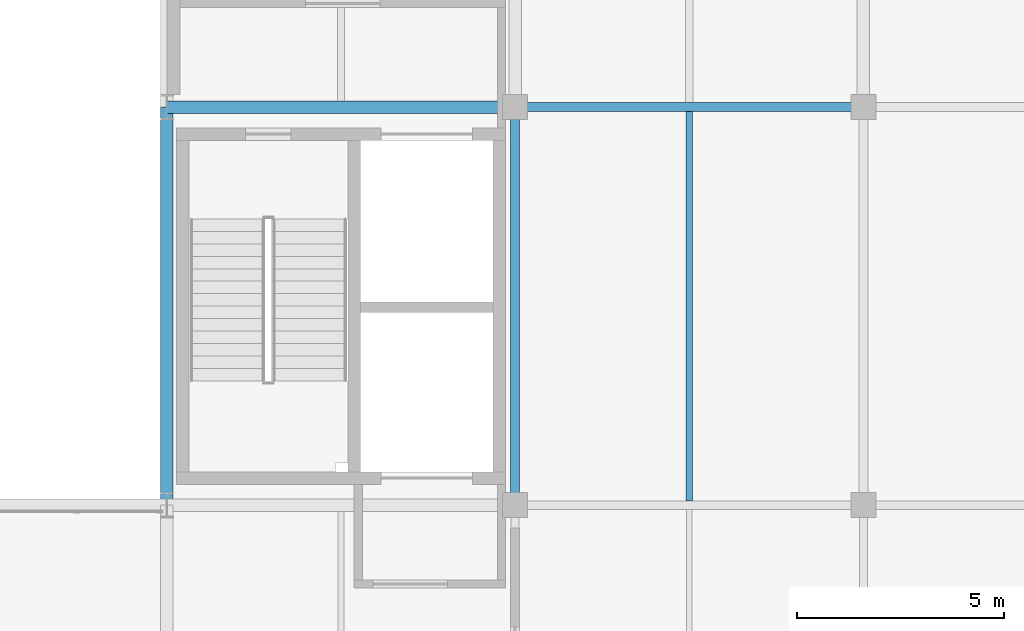
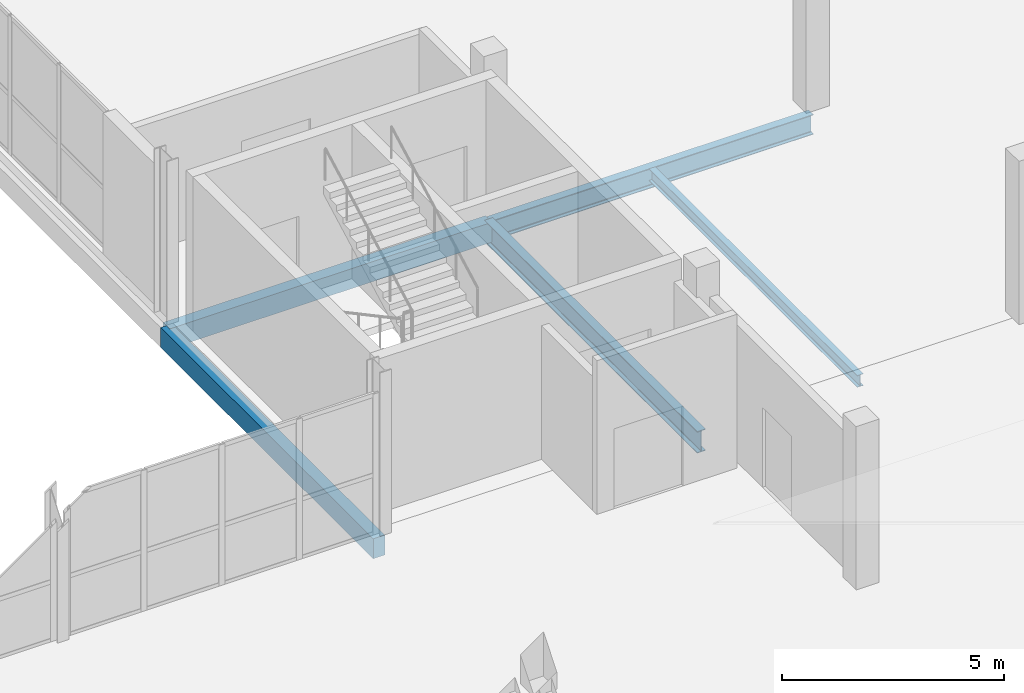
# One storey, part 87 of 130: 5 beams.
"""IFC4 building model written with IfcOpenShell, lengths in metres."""

import ifcopenshell
import ifcopenshell.guid

model = None  # the IFC model being written
_history = None  # IfcOwnerHistory: only IFC2X3 demands one
_inside = {}  # id of a spatial element -> (the spatial element, [elements in it])
_under = {}  # id of a project, library or spatial element -> (it, [spatial elements below it])
_declared = {}  # id of a project -> (the project, [libraries it declares])
_typed = {}  # id of a type object -> (the type object, [elements of that type])
_made_of = {}  # id of a material, layer set ... -> (it, [elements and type objects made of it])


def new_model(schema):
    """Start an empty IFC model of exactly this schema.

    Asked for "IFC4X3", IfcOpenShell would pick the latest addendum, in which some entities
    have other attributes; the version numbers below select the first issue.
    IFC2X3 requires an IfcOwnerHistory on every rooted entity: one is made here for all.
    """
    global model, _history
    if schema == "IFC4X3":
        model = ifcopenshell.file(schema_version=(4, 3, 0, 0))
    else:
        model = ifcopenshell.file(schema=schema)
    _inside.clear()
    _under.clear()
    _declared.clear()
    _typed.clear()
    _made_of.clear()
    _history = None
    if model.schema == "IFC2X3":
        org = make("IfcOrganization", Name="unknown")
        user = make(
            "IfcPersonAndOrganization",
            ThePerson=make("IfcPerson", FamilyName="unknown"),
            TheOrganization=org,
        )
        app = make(
            "IfcApplication",
            ApplicationDeveloper=org,
            Version="unknown",
            ApplicationFullName="unknown",
            ApplicationIdentifier="unknown",
        )
        _history = make(
            "IfcOwnerHistory",
            OwningUser=user,
            OwningApplication=app,
            ChangeAction="ADDED",
            CreationDate=0,
        )
    return model


def make(cls, **values):
    """One entity of the class cls with the attributes given. An attribute that is None is left unset."""
    return model.create_entity(
        cls, **{name: value for name, value in values.items() if value is not None}
    )


def rooted(cls, **values):
    """An entity with a GlobalId (a new one), such as an element, a storey or a relation."""
    return make(cls, GlobalId=ifcopenshell.guid.new(), OwnerHistory=_history, **values)


def si_unit(unit_type, name, prefix=None):
    """IfcSIUnit, for example si_unit("LENGTHUNIT", "METRE", prefix="MILLI")."""
    return make("IfcSIUnit", UnitType=unit_type, Prefix=prefix, Name=name)


def assignment(units):
    """IfcUnitAssignment: the units of a project."""
    return None if units is None else make("IfcUnitAssignment", Units=units)


def point(xyz):
    """IfcCartesianPoint."""
    return None if xyz is None else make("IfcCartesianPoint", Coordinates=xyz)


def direction(xyz):
    """IfcDirection."""
    return None if xyz is None else make("IfcDirection", DirectionRatios=xyz)


def frame(location, z_axis=None, x_axis=None):
    """IfcAxis2Placement3D, a coordinate frame: its origin and axes. An axis left out is left unset."""
    return make(
        "IfcAxis2Placement3D",
        Location=point(location),
        Axis=direction(z_axis),
        RefDirection=direction(x_axis),
    )


def frame_2d(location, x_axis=None):
    """IfcAxis2Placement2D, a coordinate frame in the plane: its origin and x axis."""
    return make(
        "IfcAxis2Placement2D", Location=point(location), RefDirection=direction(x_axis)
    )


def origin():
    """The frame at (0, 0, 0) with its axes left unset."""
    return frame((0.0, 0.0, 0.0))


def origin_2d():
    """The frame at (0, 0) in the plane with its x axis left unset."""
    return frame_2d((0.0, 0.0))


def place(relative_to, where):
    """IfcLocalPlacement: puts the frame where relative to a parent placement (None: the world)."""
    return make(
        "IfcLocalPlacement", PlacementRelTo=relative_to, RelativePlacement=where
    )


def context(
    kind, dimensions, precision=None, world=None, true_north=None, identifier=None
):
    """IfcGeometricRepresentationContext, for example the 3D "Model" context."""
    return make(
        "IfcGeometricRepresentationContext",
        ContextIdentifier=identifier,
        ContextType=kind,
        CoordinateSpaceDimension=dimensions,
        Precision=precision,
        WorldCoordinateSystem=world,
        TrueNorth=true_north,
    )


def subcontext(parent, identifier, kind, view, scale=None):
    """IfcGeometricRepresentationSubContext, for example "Body" below "Model"."""
    return make(
        "IfcGeometricRepresentationSubContext",
        ContextIdentifier=identifier,
        ContextType=kind,
        ParentContext=parent,
        TargetScale=scale,
        TargetView=view,
    )


def project(units=None, contexts=None):
    """IfcProject with its units and contexts."""
    return rooted(
        "IfcProject",
        Name="project",
        RepresentationContexts=contexts,
        UnitsInContext=assignment(units),
    )


def spatial(cls, under=None, at=None, **own):
    """A site, building, storey or space (cls), placed at a placement, below another one or the project."""
    s = rooted(cls, ObjectPlacement=at, **own)
    if under is not None:
        _under.setdefault(under.id(), (under, []))[1].append(s)
    return s


def profile(cls, at=None, kind="AREA", **sizes):
    """A parametric profile (cls). Its sizes go by their IFC names, for example OverallWidth=200.0."""
    return make(cls, ProfileType=kind, Position=at, **sizes)


def rectangle(**sizes):
    """IfcRectangleProfileDef."""
    return profile("IfcRectangleProfileDef", **sizes)


def i_section(**sizes):
    """IfcIShapeProfileDef."""
    return profile("IfcIShapeProfileDef", **sizes)


def extrude(swept, where, along, depth):
    """IfcExtrudedAreaSolid: the profile swept, set in the frame where, extruded along a direction by depth."""
    return make(
        "IfcExtrudedAreaSolid",
        SweptArea=swept,
        Position=where,
        ExtrudedDirection=direction(along),
        Depth=depth,
    )


def shape(context_of_items, identifier, shape_type, items):
    """IfcShapeRepresentation: the items that make up one representation, for example the "Body"."""
    return make(
        "IfcShapeRepresentation",
        ContextOfItems=context_of_items,
        RepresentationIdentifier=identifier,
        RepresentationType=shape_type,
        Items=items,
    )


def material(Name=None, Category=None):
    """IfcMaterial."""
    return make("IfcMaterial", Name=Name, Category=Category)


def material_profile(
    of_material, cross_section, Name=None, Category=None, Priority=None
):
    """IfcMaterialProfile: a cross section and its material."""
    return make(
        "IfcMaterialProfile",
        Name=Name,
        Material=of_material,
        Profile=cross_section,
        Priority=Priority,
        Category=Category,
    )


def profile_set(profiles, Name=None, composite=None):
    """IfcMaterialProfileSet."""
    return make(
        "IfcMaterialProfileSet",
        Name=Name,
        MaterialProfiles=profiles,
        CompositeProfile=composite,
    )


def made_of(thing, what):
    """Note that an element or type object is made of a material, layer set ...; save() writes the relation."""
    if what is not None:
        _made_of.setdefault(what.id(), (what, []))[1].append(thing)
    return thing


def type_object(cls, material=None, **own):
    """A type object (cls), such as IfcWallType, which elements share."""
    return made_of(rooted(cls, **own), material)


def element(
    cls,
    number,
    at=None,
    inside=None,
    cuts=None,
    type_object=None,
    material=None,
    context=None,
    identifier="Body",
    shape_type=None,
    held_by="IfcProductDefinitionShape",
    body=None,
    shapes=None,
    **own,
):
    """One element of the class cls, such as IfcWall. Its Tag is "e" and its number.

    at: its placement. inside: the storey or other place that contains it. cuts: it is an
    opening in that element (IfcRelVoidsElement). A single representation is given by context,
    identifier, shape_type and body (its items); several are given by shapes. held_by: the class
    of the entity that holds the representations. save() writes the other relations.
    """
    e = rooted(cls, Tag="e%d" % number, ObjectPlacement=at, **own)
    if body is not None:
        shapes = [shape(context, identifier, shape_type, body)]
    if shapes is not None:
        e.Representation = make(held_by, Representations=shapes)
    if inside is not None:
        _inside.setdefault(inside.id(), (inside, []))[1].append(e)
    if cuts is not None:
        rooted(
            "IfcRelVoidsElement", RelatingBuildingElement=cuts, RelatedOpeningElement=e
        )
    if type_object is not None:
        _typed.setdefault(type_object.id(), (type_object, []))[1].append(e)
    return made_of(e, material)


def aggregate(whole, parts):
    """IfcRelAggregates: a whole, such as a stair, and the parts it consists of."""
    return rooted("IfcRelAggregates", RelatingObject=whole, RelatedObjects=parts)


def save(model, path):
    """Write the relations noted so far, then the file.

    IfcRelAggregates (storeys below a building ...), IfcRelContainedInSpatialStructure (elements
    in a storey), IfcRelDefinesByType, IfcRelAssociatesMaterial and IfcRelDeclares: one each for
    every whole, place, type object, material and project.
    """
    for whole, parts in _under.values():
        aggregate(whole, parts)
    for where, things in _inside.values():
        rooted(
            "IfcRelContainedInSpatialStructure",
            RelatedElements=things,
            RelatingStructure=where,
        )
    for kind, things in _typed.values():
        rooted("IfcRelDefinesByType", RelatedObjects=things, RelatingType=kind)
    for what, things in _made_of.values():
        rooted("IfcRelAssociatesMaterial", RelatedObjects=things, RelatingMaterial=what)
    for by, libraries in _declared.values():
        rooted("IfcRelDeclares", RelatingContext=by, RelatedDefinitions=libraries)
    model.write(path)


model = new_model("IFC4")

# Units and contexts
model_context = context("Model", 3, precision=1e-05, world=origin(), true_north=direction((0.0, 1.0)))
body_context = subcontext(model_context, "Body", "Model", "MODEL_VIEW")
ifc_project = project(units=[si_unit("LENGTHUNIT", "METRE"), si_unit("AREAUNIT", "SQUARE_METRE"), si_unit("VOLUMEUNIT", "CUBIC_METRE"), si_unit("PLANEANGLEUNIT", "RADIAN"), si_unit("MASSUNIT", "GRAM", prefix="KILO")], contexts=[model_context])

# Site, building, storey
site_placement = place(None, origin())
site = spatial("IfcSite", under=ifc_project, at=site_placement, CompositionType="ELEMENT")
building_placement = place(site_placement, origin())
building = spatial("IfcBuilding", under=site, at=building_placement, Name="Veltarok Museum of Natural Sciences", CompositionType="ELEMENT")
storey_placement = place(building_placement, frame((0.0, 0.0, 12.89990234375)))
storey = spatial("IfcBuildingStorey", under=building, at=storey_placement, Name="L02", CompositionType="ELEMENT", Elevation=12.89990234375)

# Beams
ifc_material_1 = material(Name="Steel S355J2", Category="steel")
ifc_material_profile_1 = material_profile(ifc_material_1, i_section(OverallWidth=0.2099609375, OverallDepth=0.550048828125, WebThickness=0.010986328125, FlangeThickness=0.01708984375, FilletRadius=0.02392578125, at=origin_2d()), Name="IPE 550")
ifc_profile_set_1 = profile_set([ifc_material_profile_1], Name="Steel S355J2")
beam_type_1 = type_object("IfcBeamType", Name="Archive Heavy Girder IPE 550", PredefinedType="BEAM", material=ifc_profile_set_1)
beam_1_placement = place(storey_placement, frame((140.800048828125, 36.0, -0.52490234375), z_axis=(1.0, 0.0, 0.0), x_axis=(0.0, 1.0, 0.0)))
element("IfcBeam", 1, at=beam_1_placement, inside=storey, type_object=beam_type_1, Name="Beam BM-G03 L02 17-18/E", PredefinedType="BEAM", context=body_context, shape_type="SweptSolid", body=[
    extrude(i_section(OverallWidth=0.2099609375, OverallDepth=0.550048828125, WebThickness=0.010986328125, FlangeThickness=0.01708984375, FilletRadius=0.02392578125, at=origin_2d()), origin(), (0.0, 0.0, 1.0), 8.39990234375),
])
ifc_material_2 = material(Name="Precast concrete C40/50", Category="concrete")
ifc_material_profile_2 = material_profile(ifc_material_2, rectangle(XDim=0.300048828125, YDim=0.550048828125, at=origin_2d()), Name="RC 300x550")
ifc_profile_set_2 = profile_set([ifc_material_profile_2], Name="Precast concrete C40/50")
beam_type_2 = type_object("IfcBeamType", Name="East Wing Precast Spandrel RC 300x550", PredefinedType="SPANDREL", material=ifc_profile_set_2)
beam_2_placement = place(storey_placement, frame((132.39990234375, 36.0, -0.52490234375), z_axis=(1.0, 0.0, 0.0), x_axis=(0.0, 1.0, 0.0)))
element("IfcBeam", 2, at=beam_2_placement, inside=storey, type_object=beam_type_2, Name="Beam BM-SP02 L02 16-17/E", PredefinedType="SPANDREL", context=body_context, shape_type="SweptSolid", body=[
    extrude(rectangle(XDim=0.300048828125, YDim=0.550048828125, at=origin_2d()), origin(), (0.0, 0.0, 1.0), 8.400146484375),
])
beam_3_placement = place(storey_placement, frame((132.39990234375, 26.39990234375, -0.52490234375), z_axis=(0.0, 1.0, 0.0), x_axis=(-1.0, 0.0, 0.0)))
element("IfcBeam", 3, at=beam_3_placement, inside=storey, type_object=beam_type_2, Name="Beam BM-SP02 L02 16/D-E", PredefinedType="SPANDREL", context=body_context, shape_type="SweptSolid", body=[
    extrude(rectangle(XDim=0.300048828125, YDim=0.550048828125, at=origin_2d()), origin(), (0.0, 0.0, 1.0), 9.60009765625),
])
ifc_material_profile_3 = material_profile(ifc_material_1, i_section(OverallWidth=0.159912109375, OverallDepth=0.330078125, WebThickness=0.007568359375, FlangeThickness=0.011474609375, FilletRadius=0.01806640625, at=origin_2d()), Name="IPE 330")
ifc_profile_set_3 = profile_set([ifc_material_profile_3], Name="Steel S355J2")
beam_type_3 = type_object("IfcBeamType", Name="Medium-Bay Composite Joist IPE 330", PredefinedType="JOIST", material=ifc_profile_set_3)
beam_4_placement = place(storey_placement, frame((145.0, 26.5029296875, -0.414794921875), z_axis=(0.0, 1.0, 0.0), x_axis=(-1.0, 0.0, 0.0)))
element("IfcBeam", 4, at=beam_4_placement, inside=storey, type_object=beam_type_3, Name="Secondary Joist BM-J02 L02 17-18/D-E.1", PredefinedType="JOIST", context=body_context, shape_type="SweptSolid", body=[
    extrude(i_section(OverallWidth=0.159912109375, OverallDepth=0.330078125, WebThickness=0.007568359375, FlangeThickness=0.011474609375, FilletRadius=0.01806640625, at=origin_2d()), origin(), (0.0, 0.0, 1.0), 9.39404296875),
])
ifc_material_profile_4 = material_profile(ifc_material_1, i_section(OverallWidth=0.219970703125, OverallDepth=0.60009765625, WebThickness=0.011962890625, FlangeThickness=0.01904296875, FilletRadius=0.02392578125, at=origin_2d()), Name="IPE 600")
ifc_profile_set_4 = profile_set([ifc_material_profile_4], Name="Steel S355J2")
beam_type_4 = type_object("IfcBeamType", Name="Primary Museum Girder IPE 600", PredefinedType="BEAM", material=ifc_profile_set_4)
beam_5_placement = place(storey_placement, frame((140.800048828125, 26.39990234375, -0.5498046875), z_axis=(0.0, 1.0, 0.0), x_axis=(-1.0, 0.0, 0.0)))
element("IfcBeam", 5, at=beam_5_placement, inside=storey, type_object=beam_type_4, Name="Beam BM-G02 L02 17/D-E", PredefinedType="BEAM", context=body_context, shape_type="SweptSolid", body=[
    extrude(i_section(OverallWidth=0.219970703125, OverallDepth=0.60009765625, WebThickness=0.011962890625, FlangeThickness=0.01904296875, FilletRadius=0.02392578125, at=origin_2d()), origin(), (0.0, 0.0, 1.0), 9.60009765625),
])

save(model, "model.ifc")
